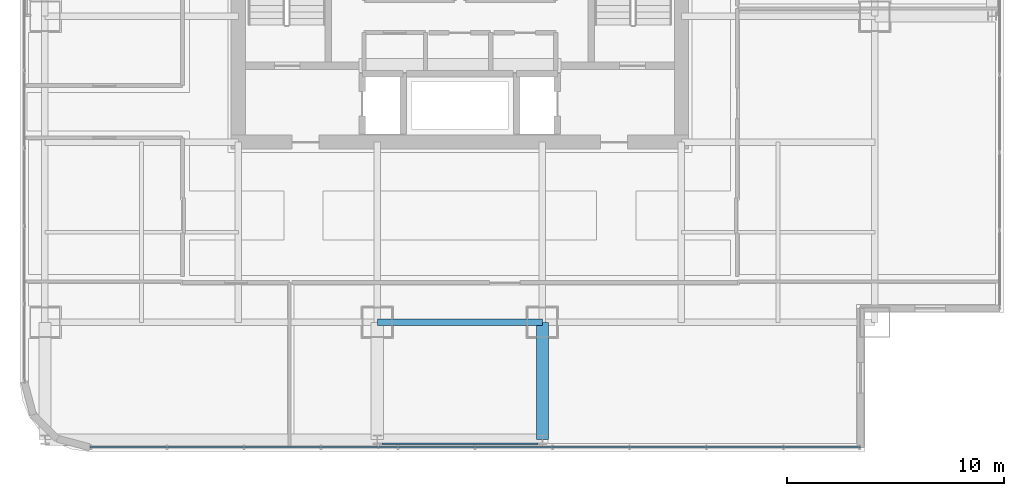
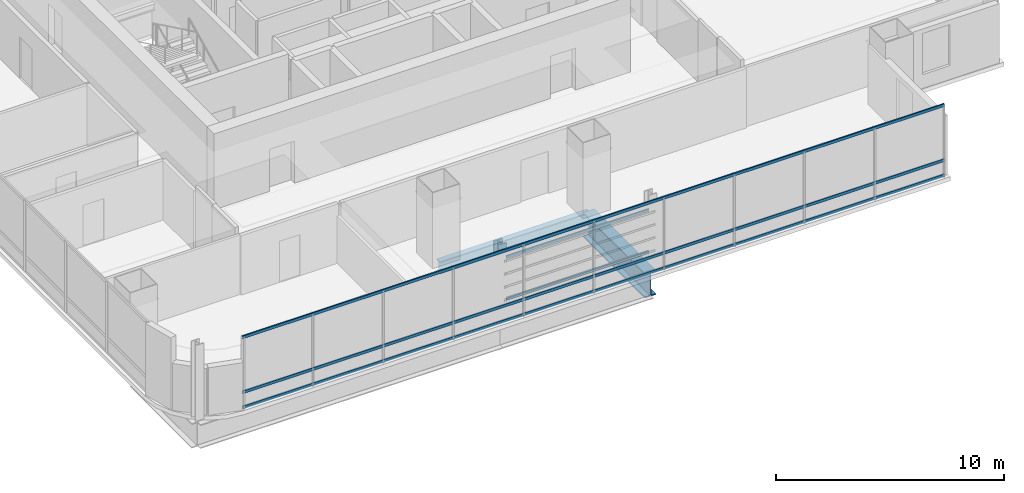
# One storey, part 6 of 37: 5 members, 2 beams, 1 element without a shape of its own.
"""IFC4 building model written with IfcOpenShell, lengths in metres."""

from ifc_helpers import new_model, si_unit, direction, frame, origin, origin_2d, place, context, subcontext, project, spatial, hollow_rectangle, i_section, extrude, material, material_profile, profile_set, type_object, element, aggregate, save


model = new_model("IFC4")

# Units and contexts
model_context = context("Model", 3, precision=1e-05, world=origin(), true_north=direction((0.0, 1.0)))
body_context = subcontext(model_context, "Body", "Model", "MODEL_VIEW")
ifc_project = project(units=[si_unit("LENGTHUNIT", "METRE"), si_unit("AREAUNIT", "SQUARE_METRE"), si_unit("VOLUMEUNIT", "CUBIC_METRE"), si_unit("PLANEANGLEUNIT", "RADIAN"), si_unit("MASSUNIT", "GRAM", prefix="KILO")], contexts=[model_context])

# Site, building, storey
site_placement = place(None, origin())
site = spatial("IfcSite", under=ifc_project, at=site_placement, CompositionType="ELEMENT")
building_placement = place(site_placement, origin())
building = spatial("IfcBuilding", under=site, at=building_placement, Name="Punatoya Terracotta Tower", CompositionType="ELEMENT")
storey_placement = place(building_placement, frame((0.0, 0.0, 224.85009765625)))
storey = spatial("IfcBuildingStorey", under=building, at=storey_placement, Name="L53", CompositionType="ELEMENT", Elevation=224.85009765625)

# Beams
ifc_material_1 = material(Name="Steel S355", Category="steel")
ifc_material_profile_1 = material_profile(ifc_material_1, i_section(OverallWidth=0.300048828125, OverallDepth=0.64990234375, WebThickness=0.01611328125, FlangeThickness=0.031005859375, FilletRadius=0.01806640625, at=origin_2d()))
ifc_profile_set_1 = profile_set([ifc_material_profile_1], Name="Steel S355")
beam_type_1 = type_object("IfcBeamType", Name="BM-PRI-650", PredefinedType="BEAM", material=ifc_profile_set_1)
beam_1_placement = place(storey_placement, frame((-3.800048828125, -17.5, -0.545166015625), z_axis=(1.0, 0.0, 0.0), x_axis=(0.0, 1.0, 0.0)))
element("IfcBeam", 1, at=beam_1_placement, inside=storey, type_object=beam_type_1, Name="BM-L53-RG-S2", PredefinedType="BEAM", context=body_context, shape_type="SweptSolid", body=[
    extrude(i_section(OverallWidth=0.300048828125, OverallDepth=0.64990234375, WebThickness=0.01611328125, FlangeThickness=0.031005859375, FilletRadius=0.01806640625, at=origin_2d()), origin(), (0.0, 0.0, 1.0), 7.60009765625),
])
ifc_material_2 = material(Name="Steel S460", Category="steel")
ifc_material_profile_2 = material_profile(ifc_material_2, i_section(OverallWidth=0.56005859375, OverallDepth=1.320068359375, WebThickness=0.035888671875, FlangeThickness=0.054931640625, FilletRadius=0.01806640625, at=origin_2d()))
ifc_profile_set_2 = profile_set([ifc_material_profile_2], Name="Steel S460")
beam_type_2 = type_object("IfcBeamType", Name="BM-TG-BLK", PredefinedType="BEAM", material=ifc_profile_set_2)
beam_2_placement = place(storey_placement, frame((3.800048828125, -22.89990234375, -0.880126953125), z_axis=(0.0, 1.0, 0.0), x_axis=(-1.0, 0.0, 0.0)))
element("IfcBeam", 2, at=beam_2_placement, inside=storey, type_object=beam_type_2, Name="BM-L53-CANT-S3", PredefinedType="BEAM", context=body_context, shape_type="SweptSolid", body=[
    extrude(i_section(OverallWidth=0.56005859375, OverallDepth=1.320068359375, WebThickness=0.035888671875, FlangeThickness=0.054931640625, FilletRadius=0.01806640625, at=origin_2d()), origin(), (0.0, 0.0, 1.0), 5.39990234375),
])

# Curtain wall, members
ifc_material_3 = material(Name="Aluminium 6063-T6 + Double Low-E Glass", Category="aluminium")
curtain_wall_type = type_object("IfcCurtainWallType", Name="CW-M2", PredefinedType="NOTDEFINED", material=ifc_material_3)
curtain_wall_placement = place(storey_placement, origin())
curtain_wall = element("IfcCurtainWall", 3, at=curtain_wall_placement, inside=storey, type_object=curtain_wall_type, Name="L53 Curtain Wall CW-L53-S01-1", PredefinedType="NOTDEFINED")
ifc_material_4 = material(Name="Aluminium 6063-T6", Category="aluminium")
ifc_material_profile_3 = material_profile(ifc_material_4, hollow_rectangle(XDim=0.068115234375, YDim=0.14990234375, WallThickness=0.00390625, at=origin_2d()))
ifc_profile_set_3 = profile_set([ifc_material_profile_3], Name="Aluminium 6063-T6")
member_type_1 = type_object("IfcMemberType", Name="CW-TRN-TYP", PredefinedType="USERDEFINED", material=ifc_profile_set_3)
member_1_placement = place(storey_placement, frame((-17.036865234375, -23.25, 0.039794921875), z_axis=(1.0, 0.0, 0.0), x_axis=(0.0, 1.0, 0.0)))
member_1 = element("IfcMember", 4, at=member_1_placement, type_object=member_type_1, Name="CW-L53-S01-1 Transom 1", ObjectType="TRANSOM", PredefinedType="USERDEFINED", context=body_context, shape_type="SweptSolid", body=[
    extrude(hollow_rectangle(XDim=0.068115234375, YDim=0.14990234375, WallThickness=0.00390625, at=origin_2d()), origin(), (0.0, 0.0, 1.0), 35.48681640625),
])
member_2_placement = place(storey_placement, frame((-17.036865234375, -23.25, 0.849853515625), z_axis=(1.0, 0.0, 0.0), x_axis=(0.0, 1.0, 0.0)))
member_2 = element("IfcMember", 5, at=member_2_placement, type_object=member_type_1, Name="CW-L53-S01-1 Transom 2", ObjectType="TRANSOM", PredefinedType="USERDEFINED", context=body_context, shape_type="SweptSolid", body=[
    extrude(hollow_rectangle(XDim=0.068115234375, YDim=0.14990234375, WallThickness=0.00390625, at=origin_2d()), origin(), (0.0, 0.0, 1.0), 35.48681640625),
])
member_3_placement = place(storey_placement, frame((-17.036865234375, -23.25, 3.789794921875), z_axis=(1.0, 0.0, 0.0), x_axis=(0.0, 1.0, 0.0)))
member_3 = element("IfcMember", 6, at=member_3_placement, type_object=member_type_1, Name="CW-L53-S01-1 Transom 3", ObjectType="TRANSOM", PredefinedType="USERDEFINED", context=body_context, shape_type="SweptSolid", body=[
    extrude(hollow_rectangle(XDim=0.068115234375, YDim=0.14990234375, WallThickness=0.00390625, at=origin_2d()), origin(), (0.0, 0.0, 1.0), 35.48681640625),
])
aggregate(curtain_wall, [member_1, member_2, member_3])

# Members
ifc_material_profile_4 = material_profile(ifc_material_1, hollow_rectangle(XDim=0.070068359375, YDim=0.139892578125, WallThickness=0.006103515625, at=origin_2d()))
ifc_profile_set_4 = profile_set([ifc_material_profile_4], Name="Steel S355")
member_type_2 = type_object("IfcMemberType", Name="MEM-BAG-RAIL", PredefinedType="USERDEFINED", material=ifc_profile_set_4)
for number, where, z_axis, x_axis, name in (
    (7, (-3.595947265625, -23.094482421875, 1.0498046875), (1.0, 0.0, 0.0), (0.0, 1.0, 0.0), "L53 Terracotta Baguette Carrier Rail BAG-L53-S-R1"),
    (8, (-3.595947265625, -23.094482421875, 3.27978515625), (1.0, 0.0, 0.0), (0.0, 1.0, 0.0), "L53 Terracotta Baguette Carrier Rail BAG-L53-S-R2"),
):
    element("IfcMember", number, at=place(storey_placement, frame(where, z_axis=z_axis, x_axis=x_axis)), inside=storey, type_object=member_type_2, Name=name, ObjectType="BAGUETTE", PredefinedType="USERDEFINED", context=body_context, shape_type="SweptSolid", body=[
        extrude(hollow_rectangle(XDim=0.070068359375, YDim=0.139892578125, WallThickness=0.006103515625, at=origin_2d()), origin(), (0.0, 0.0, 1.0), 7.19189453125),
    ])

save(model, "model.ifc")
